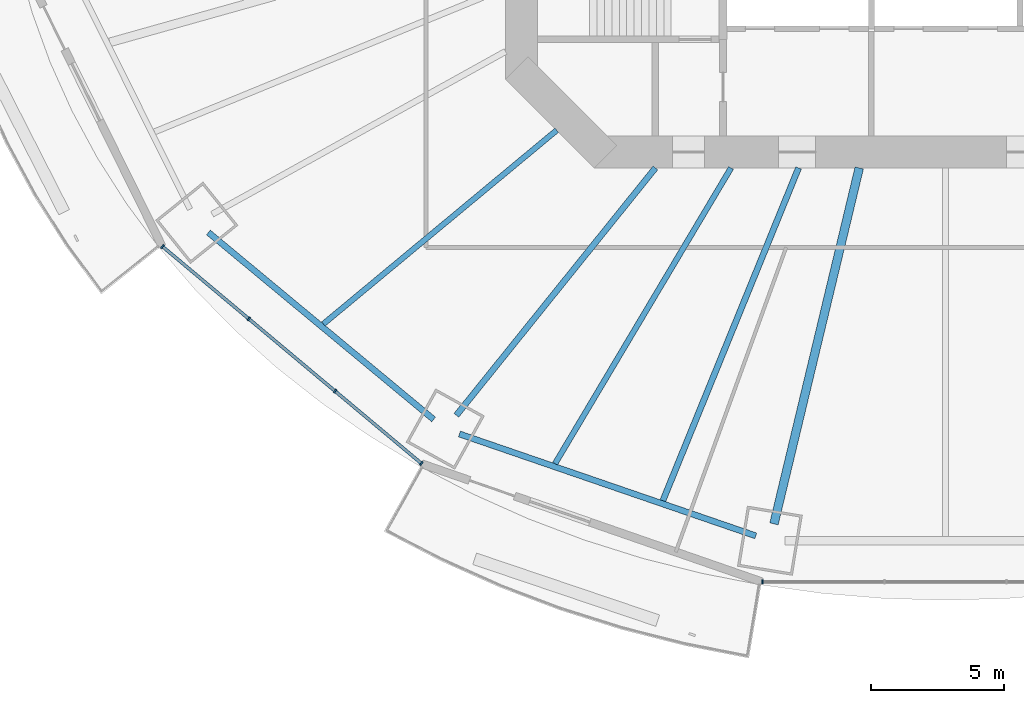
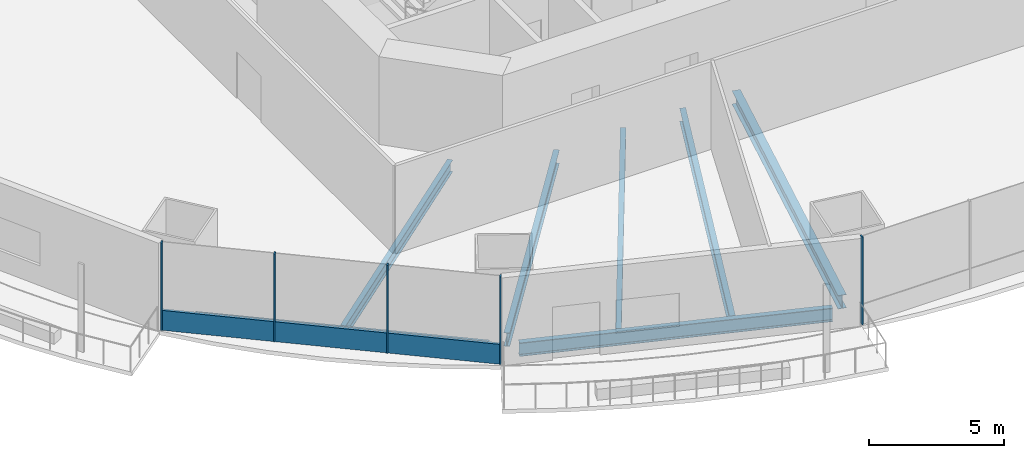
# One storey, part 2 of 22: 7 beams, 6 members, 2 elements without a shape of their own.
"""IFC4 building model written with IfcOpenShell, lengths in metres."""

from ifc_helpers import new_model, si_unit, direction, frame, origin, origin_2d, place, context, subcontext, project, spatial, rectangle, i_section, extrude, material, material_profile, profile_set, type_object, element, aggregate, save


model = new_model("IFC4")

# Units and contexts
model_context = context("Model", 3, precision=1e-05, world=origin(), true_north=direction((0.0, 1.0)))
body_context = subcontext(model_context, "Body", "Model", "MODEL_VIEW")
ifc_project = project(units=[si_unit("LENGTHUNIT", "METRE"), si_unit("AREAUNIT", "SQUARE_METRE"), si_unit("VOLUMEUNIT", "CUBIC_METRE"), si_unit("PLANEANGLEUNIT", "RADIAN"), si_unit("MASSUNIT", "GRAM", prefix="KILO")], contexts=[model_context])

# Site, building, storey
site_placement = place(None, origin())
site = spatial("IfcSite", under=ifc_project, at=site_placement, CompositionType="ELEMENT")
building_placement = place(site_placement, origin())
building = spatial("IfcBuilding", under=site, at=building_placement, Name="Marenthal Gate Tower", CompositionType="ELEMENT")
storey_placement = place(building_placement, frame((0.0, 0.0, 74.5)))
storey = spatial("IfcBuildingStorey", under=building, at=storey_placement, Name="L14", CompositionType="ELEMENT", Elevation=74.5)

# Curtain wall, members
ifc_material_1 = material(Name="Aluminium and glass", Category="aluminium")
curtain_wall_type = type_object("IfcCurtainWallType", Name="Curtain wall typical low", PredefinedType="NOTDEFINED", material=ifc_material_1)
curtain_wall_1_placement = place(storey_placement, origin())
curtain_wall_1 = element("IfcCurtainWall", 1, at=curtain_wall_1_placement, inside=storey, type_object=curtain_wall_type, Name="Curtain wall L14 bay 10", PredefinedType="NOTDEFINED")
ifc_material_2 = material(Name="Aluminium", Category="aluminium")
ifc_material_profile_1 = material_profile(ifc_material_2, rectangle(XDim=0.159912109375, YDim=0.06005859375, at=origin_2d()), Name="60x160 aluminium mullion")
ifc_profile_set_1 = profile_set([ifc_material_profile_1], Name="Aluminium")
member_type_1 = type_object("IfcMemberType", Name="Mullion 60x160 typical low", PredefinedType="MULLION", material=ifc_profile_set_1)
member_1_placement = place(storey_placement, frame((-29.5380859375, -16.56640625, 0.0), z_axis=(0.0, 0.0, 1.0), x_axis=(0.642176178992, 0.76655707885, 0.0)))
member_1 = element("IfcMember", 2, at=member_1_placement, type_object=member_type_1, Name="Mullion L14 bay 10.1", PredefinedType="MULLION", context=body_context, shape_type="SweptSolid", body=[
    extrude(rectangle(XDim=0.159912109375, YDim=0.06005859375, at=origin_2d()), origin(), (0.0, 0.0, 1.0), 3.969970703125),
])
member_2_placement = place(storey_placement, frame((-26.283935546875, -19.292724609375, 0.0), z_axis=(0.0, 0.0, 1.0), x_axis=(0.642176178992, 0.76655707885, 0.0)))
member_2 = element("IfcMember", 3, at=member_2_placement, type_object=member_type_1, Name="Mullion L14 bay 10.2", PredefinedType="MULLION", context=body_context, shape_type="SweptSolid", body=[
    extrude(rectangle(XDim=0.159912109375, YDim=0.06005859375, at=origin_2d()), origin(), (0.0, 0.0, 1.0), 3.969970703125),
])
member_3_placement = place(storey_placement, frame((-23.029541015625, -22.01904296875, 0.0), z_axis=(0.0, 0.0, 1.0), x_axis=(0.642176178992, 0.76655707885, 0.0)))
member_3 = element("IfcMember", 4, at=member_3_placement, type_object=member_type_1, Name="Mullion L14 bay 10.3", PredefinedType="MULLION", context=body_context, shape_type="SweptSolid", body=[
    extrude(rectangle(XDim=0.159912109375, YDim=0.06005859375, at=origin_2d()), origin(), (0.0, 0.0, 1.0), 3.969970703125),
])
member_4_placement = place(storey_placement, frame((-19.775146484375, -24.745361328125, 0.0), z_axis=(0.0, 0.0, 1.0), x_axis=(0.642176178992, 0.76655707885, 0.0)))
member_4 = element("IfcMember", 5, at=member_4_placement, type_object=member_type_1, Name="Mullion L14 bay 10.4", PredefinedType="MULLION", context=body_context, shape_type="SweptSolid", body=[
    extrude(rectangle(XDim=0.159912109375, YDim=0.06005859375, at=origin_2d()), origin(), (0.0, 0.0, 1.0), 3.969970703125),
])

# Curtain wall, member
curtain_wall_2_placement = place(storey_placement, origin())
curtain_wall_2 = element("IfcCurtainWall", 6, at=curtain_wall_2_placement, inside=storey, type_object=curtain_wall_type, Name="Curtain wall L14 bay 12", PredefinedType="NOTDEFINED")
member_5_placement = place(storey_placement, frame((-6.906005859375, -29.211669921875, 0.0), z_axis=(0.0, 0.0, 1.0), x_axis=(0.0, 1.0, 0.0)))
member_5 = element("IfcMember", 7, at=member_5_placement, type_object=member_type_1, Name="Mullion L14 bay 12.1", PredefinedType="MULLION", context=body_context, shape_type="SweptSolid", body=[
    extrude(rectangle(XDim=0.159912109375, YDim=0.06005859375, at=origin_2d()), origin(), (0.0, 0.0, 1.0), 3.969970703125),
])
aggregate(curtain_wall_2, [member_5])

# Member
ifc_material_3 = material(Name="Aluminium", Category="aluminium")
ifc_material_profile_2 = material_profile(ifc_material_3, rectangle(XDim=0.1201171875, YDim=0.89990234375, at=origin_2d()), Name="120x900 aluminium transom")
ifc_profile_set_2 = profile_set([ifc_material_profile_2], Name="Aluminium")
member_type_2 = type_object("IfcMemberType", Name="Transom 120x900 typical low", PredefinedType="USERDEFINED", material=ifc_profile_set_2)
member_6_placement = place(storey_placement, frame((-29.51513671875, -16.585693359375, 0.449951171875), z_axis=(0.766556354324, -0.642177043849, 0.0), x_axis=(0.642177043849, 0.766556354324, 0.0)))
member_6 = element("IfcMember", 8, at=member_6_placement, type_object=member_type_2, Name="Transom L14 bay 10", ObjectType="TRANSOM", PredefinedType="USERDEFINED", context=body_context, shape_type="SweptSolid", body=[
    extrude(rectangle(XDim=0.1201171875, YDim=0.89990234375, at=origin_2d()), origin(), (0.0, 0.0, 1.0), 12.67626953125),
])

aggregate(curtain_wall_1, [member_1, member_2, member_3, member_4, member_6])

# Beams
ifc_material_4 = material(Name="Steel S355", Category="steel")
ifc_material_profile_3 = material_profile(ifc_material_4, i_section(OverallWidth=0.2099609375, OverallDepth=0.535888671875, WebThickness=0.010986328125, FlangeThickness=0.017333984375, FilletRadius=0.0126953125, at=origin_2d()), Name="W530X101")
ifc_profile_set_3 = profile_set([ifc_material_profile_3], Name="Steel S355")
beam_type_1 = type_object("IfcBeamType", Name="W530X101 beam", PredefinedType="BEAM", material=ifc_profile_set_3)
beam_1_placement = place(storey_placement, frame((-23.47119140625, -19.485595703125, -0.447998046875), z_axis=(0.769402561639, 0.638764196041, 0.0), x_axis=(-0.638764196041, 0.769402561639, 0.0)))
element("IfcBeam", 9, at=beam_1_placement, inside=storey, type_object=beam_type_1, Name="BM-L14-31", PredefinedType="BEAM", context=body_context, shape_type="SweptSolid", body=[
    extrude(i_section(OverallWidth=0.2099609375, OverallDepth=0.535888671875, WebThickness=0.010986328125, FlangeThickness=0.017333984375, FilletRadius=0.0126953125, at=origin_2d()), origin(), (0.0, 0.0, 1.0), 11.439208984375),
])
ifc_material_5 = material(Name="Steel S355", Category="steel")
ifc_material_profile_4 = material_profile(ifc_material_5, i_section(OverallWidth=0.2119140625, OverallDepth=0.5439453125, WebThickness=0.01318359375, FlangeThickness=0.021240234375, FilletRadius=0.0126953125, at=origin_2d()), Name="W530X123")
ifc_profile_set_4 = profile_set([ifc_material_profile_4], Name="Steel S355")
beam_type_2 = type_object("IfcBeamType", Name="W530X123 beam", PredefinedType="BEAM", material=ifc_profile_set_4)
beam_2_placement = place(storey_placement, frame((-14.732421875, -24.754150390625, -0.451904296875), z_axis=(0.511433266122, 0.859322997658, 0.0), x_axis=(-0.859322997658, 0.511433266122, 0.0)))
element("IfcBeam", 10, at=beam_2_placement, inside=storey, type_object=beam_type_2, Name="BM-L14-32", PredefinedType="BEAM", context=body_context, shape_type="SweptSolid", body=[
    extrude(i_section(OverallWidth=0.2119140625, OverallDepth=0.5439453125, WebThickness=0.01318359375, FlangeThickness=0.021240234375, FilletRadius=0.0126953125, at=origin_2d()), origin(), (0.0, 0.0, 1.0), 12.97998046875),
])
ifc_material_6 = material(Name="Steel S355", Category="steel")
ifc_material_profile_5 = material_profile(ifc_material_6, i_section(OverallWidth=0.22900390625, OverallDepth=0.612060546875, WebThickness=0.011962890625, FlangeThickness=0.01953125, FilletRadius=0.0126953125, at=origin_2d()), Name="W610X125")
ifc_profile_set_5 = profile_set([ifc_material_profile_5], Name="Steel S355")
beam_type_3 = type_object("IfcBeamType", Name="W610X125 beam", PredefinedType="BEAM", material=ifc_profile_set_5)
beam_3_placement = place(storey_placement, frame((-18.456298828125, -22.93115234375, -0.486083984375), z_axis=(0.62700397479, 0.779016056059, 0.0), x_axis=(-0.779016056059, 0.62700397479, 0.0)))
element("IfcBeam", 11, at=beam_3_placement, inside=storey, type_object=beam_type_3, Name="BM-L14-11", PredefinedType="BEAM", context=body_context, shape_type="SweptSolid", body=[
    extrude(i_section(OverallWidth=0.22900390625, OverallDepth=0.612060546875, WebThickness=0.011962890625, FlangeThickness=0.01953125, FilletRadius=0.0126953125, at=origin_2d()), origin(), (0.0, 0.0, 1.0), 11.97802734375),
])
beam_4_placement = place(storey_placement, frame((-10.666748046875, -26.152099609375, -0.486083984375), z_axis=(0.377666991807, 0.925941490214, 0.0), x_axis=(-0.925941490214, 0.377666991807, 0.0)))
element("IfcBeam", 12, at=beam_4_placement, inside=storey, type_object=beam_type_3, Name="BM-L14-33", PredefinedType="BEAM", context=body_context, shape_type="SweptSolid", body=[
    extrude(i_section(OverallWidth=0.22900390625, OverallDepth=0.612060546875, WebThickness=0.011962890625, FlangeThickness=0.01953125, FilletRadius=0.0126953125, at=origin_2d()), origin(), (0.0, 0.0, 1.0), 13.555908203125),
])
beam_5_placement = place(storey_placement, frame((-27.807861328125, -16.0341796875, -0.486083984375), z_axis=(0.769405168871, -0.638761055571, 0.0), x_axis=(0.638761055571, 0.769405168871, 0.0)))
element("IfcBeam", 13, at=beam_5_placement, inside=storey, type_object=beam_type_3, Name="BM-L14-50", PredefinedType="BEAM", context=body_context, shape_type="SweptSolid", body=[
    extrude(i_section(OverallWidth=0.22900390625, OverallDepth=0.612060546875, WebThickness=0.011962890625, FlangeThickness=0.01953125, FilletRadius=0.0126953125, at=origin_2d()), origin(), (0.0, 0.0, 1.0), 11.04248046875),
])
beam_6_placement = place(storey_placement, frame((-18.3388671875, -23.635009765625, -0.486083984375), z_axis=(0.94564769726, -0.325192916076, 0.0), x_axis=(0.325192916076, 0.94564769726, 0.0)))
element("IfcBeam", 14, at=beam_6_placement, inside=storey, type_object=beam_type_3, Name="BM-L14-51", PredefinedType="BEAM", context=body_context, shape_type="SweptSolid", body=[
    extrude(i_section(OverallWidth=0.22900390625, OverallDepth=0.612060546875, WebThickness=0.011962890625, FlangeThickness=0.01953125, FilletRadius=0.0126953125, at=origin_2d()), origin(), (0.0, 0.0, 1.0), 11.819091796875),
])
ifc_material_7 = material(Name="Steel S355", Category="steel")
ifc_material_profile_6 = material_profile(ifc_material_7, i_section(OverallWidth=0.324951171875, OverallDepth=0.612060546875, WebThickness=0.0126953125, FlangeThickness=0.01904296875, FilletRadius=0.0126953125, at=origin_2d()), Name="W610X155")
ifc_profile_set_6 = profile_set([ifc_material_profile_6], Name="Steel S355")
beam_type_4 = type_object("IfcBeamType", Name="W610X155 beam", PredefinedType="BEAM", material=ifc_profile_set_6)
beam_7_placement = place(storey_placement, frame((-6.4755859375, -27.027099609375, -0.486083984375), z_axis=(0.233000428797, 0.972476632203, 0.0), x_axis=(-0.972476632203, 0.233000428797, 0.0)))
element("IfcBeam", 15, at=beam_7_placement, inside=storey, type_object=beam_type_4, Name="BM-L14-12", PredefinedType="BEAM", context=body_context, shape_type="SweptSolid", body=[
    extrude(i_section(OverallWidth=0.324951171875, OverallDepth=0.612060546875, WebThickness=0.0126953125, FlangeThickness=0.01904296875, FilletRadius=0.0126953125, at=origin_2d()), origin(), (0.0, 0.0, 1.0), 13.80712890625),
])

save(model, "model.ifc")
